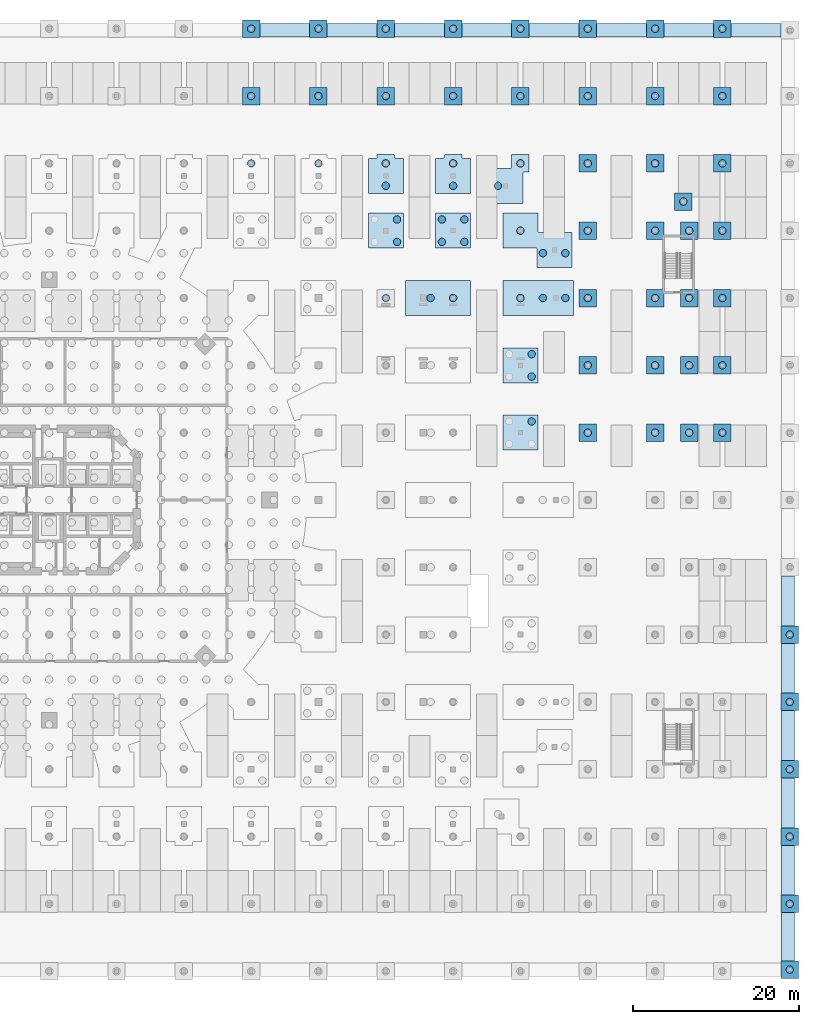
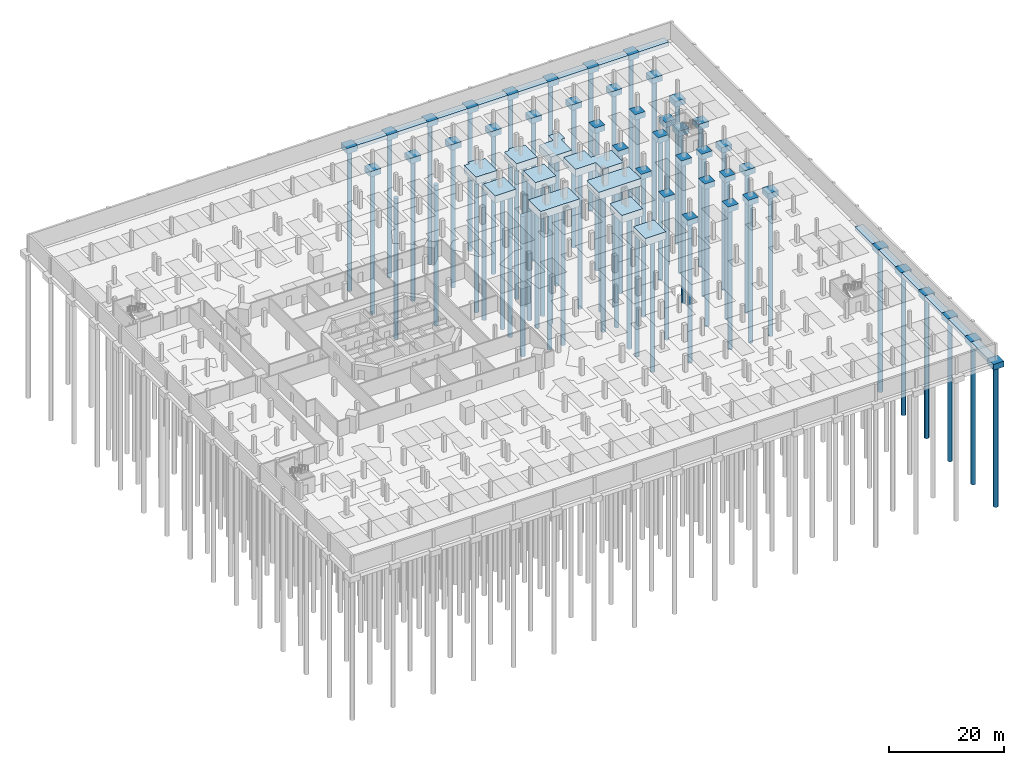
# One storey, part 7 of 23: 68 piles, 66 footings.
"""IFC4 building model written with IfcOpenShell, lengths in metres."""

from ifc_helpers import new_model, si_unit, direction, frame, origin, origin_2d, place, context, subcontext, project, spatial, polyline, rectangle, circle, outline, extrude, material, material_profile, profile_set, type_object, element, save


model = new_model("IFC4")

# Units and contexts
model_context = context("Model", 3, precision=1e-05, world=origin(), true_north=direction((0.0, 1.0)))
body_context = subcontext(model_context, "Body", "Model", "MODEL_VIEW")
ifc_project = project(units=[si_unit("LENGTHUNIT", "METRE"), si_unit("AREAUNIT", "SQUARE_METRE"), si_unit("VOLUMEUNIT", "CUBIC_METRE"), si_unit("PLANEANGLEUNIT", "RADIAN"), si_unit("MASSUNIT", "GRAM", prefix="KILO")], contexts=[model_context])

# Site, building, storey
site_placement = place(None, origin())
site = spatial("IfcSite", under=ifc_project, at=site_placement, CompositionType="ELEMENT")
building_placement = place(site_placement, origin())
building = spatial("IfcBuilding", under=site, at=building_placement, Name="Torre Triforio", CompositionType="ELEMENT")
storey_placement = place(building_placement, frame((0.0, 0.0, -10.800048828125)))
storey = spatial("IfcBuildingStorey", under=building, at=storey_placement, Name="B3", CompositionType="ELEMENT", Elevation=-10.800048828125)

# Piles
ifc_material_1 = material(Name="Concrete C35", Category="concrete")
ifc_material_profile = material_profile(ifc_material_1, circle(Radius=0.449951171875, at=origin_2d()), Name="RC D900")
ifc_profile_set = profile_set([ifc_material_profile], Name="Concrete C35")
pile_type = type_object("IfcPileType", Name="Bored pile D900 C35", PredefinedType="BORED", material=ifc_profile_set)
for number, where, z_axis, x_axis, name in (
    (1, (89.10009765625, -56.5, -1.099853515625), (0.0, 0.0, -1.0), (1.0, 0.0, 0.0), "PL.PC.017.1"),
    (2, (89.10009765625, -48.60009765625, -1.099853515625), (0.0, 0.0, -1.0), (1.0, 0.0, 0.0), "PL.PC.034.1"),
    (3, (89.10009765625, -40.5, -1.099853515625), (0.0, 0.0, -1.0), (1.0, 0.0, 0.0), "PL.PC.040.1"),
    (4, (89.10009765625, -32.39990234375, -1.099853515625), (0.0, 0.0, -1.0), (1.0, 0.0, 0.0), "PL.PC.064.1"),
    (5, (89.10009765625, -24.300048828125, -1.099853515625), (0.0, 0.0, -1.0), (1.0, 0.0, 0.0), "PL.PC.077.1"),
    (6, (89.10009765625, -16.199951171875, -1.099853515625), (0.0, 0.0, -1.0), (1.0, 0.0, 0.0), "PL.PC.087.1"),
    (7, (58.050048828125, 9.449951171875, -1.5), (0.0, 0.0, -1.0), (1.0, 0.0, 0.0), "PL.PC.112.4"),
    (8, (64.800048828125, 8.10009765625, -1.099853515625), (0.0, 0.0, -1.0), (1.0, 0.0, 0.0), "PL.PC.113.1"),
    (9, (72.89990234375, 8.10009765625, -1.099853515625), (0.0, 0.0, -1.0), (1.0, 0.0, 0.0), "PL.PC.114.1"),
    (10, (77.0, 8.10009765625, -1.099853515625), (0.0, 0.0, -1.0), (1.0, 0.0, 0.0), "PL.PC.115.1"),
    (11, (81.0, 8.10009765625, -1.099853515625), (0.0, 0.0, -1.0), (1.0, 0.0, 0.0), "PL.PC.116.1"),
    (12, (58.050048828125, 14.85009765625, -1.5), (0.0, 0.0, -1.0), (1.0, 0.0, 0.0), "PL.PC.122.2"),
    (13, (58.050048828125, 17.550048828125, -1.5), (0.0, 0.0, -1.0), (1.0, 0.0, 0.0), "PL.PC.122.4"),
    (14, (64.800048828125, 16.199951171875, -1.099853515625), (0.0, 0.0, -1.0), (1.0, 0.0, 0.0), "PL.PC.123.1"),
    (15, (72.89990234375, 16.199951171875, -1.099853515625), (0.0, 0.0, -1.0), (1.0, 0.0, 0.0), "PL.PC.124.1"),
    (16, (77.0, 16.199951171875, -1.099853515625), (0.0, 0.0, -1.0), (1.0, 0.0, 0.0), "PL.PC.125.1"),
    (17, (81.0, 16.199951171875, -1.099853515625), (0.0, 0.0, -1.0), (1.0, 0.0, 0.0), "PL.PC.126.1"),
    (18, (40.5, 24.300048828125, -1.099853515625), (0.0, 0.0, -1.0), (1.0, 0.0, 0.0), "PL.PC.132.1"),
    (19, (45.89990234375, 24.300048828125, -1.5), (0.0, 0.0, -1.0), (1.0, 0.0, 0.0), "PL.PC.133.1"),
    (20, (48.60009765625, 24.300048828125, -1.5), (0.0, 0.0, -1.0), (1.0, 0.0, 0.0), "PL.PC.133.2"),
    (21, (56.699951171875, 24.300048828125, -1.5), (0.0, 0.0, -1.0), (1.0, 0.0, 0.0), "PL.PC.134.1"),
    (22, (59.39990234375, 24.300048828125, -1.5), (0.0, 0.0, -1.0), (1.0, 0.0, 0.0), "PL.PC.134.2"),
    (23, (62.10009765625, 24.300048828125, -1.5), (0.0, 0.0, -1.0), (1.0, 0.0, 0.0), "PL.PC.134.3"),
    (24, (64.800048828125, 24.300048828125, -1.099853515625), (0.0, 0.0, -1.0), (1.0, 0.0, 0.0), "PL.PC.135.1"),
    (25, (72.89990234375, 24.300048828125, -1.099853515625), (0.0, 0.0, -1.0), (1.0, 0.0, 0.0), "PL.PC.136.1"),
    (26, (77.0, 24.300048828125, -1.099853515625), (0.0, 0.0, -1.0), (1.0, 0.0, 0.0), "PL.PC.137.1"),
    (27, (81.0, 24.300048828125, -1.099853515625), (0.0, 0.0, -1.0), (1.0, 0.0, 0.0), "PL.PC.138.1"),
    (28, (56.699951171875, 32.39990234375, -1.5), (0.0, 0.0, -1.0), (1.0, 0.0, 0.0), "PL.PC.140.1"),
    (29, (59.39990234375, 29.699951171875, -1.5), (0.0, 0.0, -1.0), (1.0, 0.0, 0.0), "PL.PC.140.2"),
    (30, (62.10009765625, 29.699951171875, -1.5), (0.0, 0.0, -1.0), (1.0, 0.0, 0.0), "PL.PC.140.3"),
    (31, (41.85009765625, 31.050048828125, -1.5), (0.0, 0.0, -1.0), (1.0, 0.0, 0.0), "PL.PC.147.2"),
    (32, (41.85009765625, 33.75, -1.5), (0.0, 0.0, -1.0), (1.0, 0.0, 0.0), "PL.PC.147.4"),
    (33, (47.25, 31.050048828125, -1.5), (0.0, 0.0, -1.0), (1.0, 0.0, 0.0), "PL.PC.148.1"),
    (34, (49.949951171875, 31.050048828125, -1.5), (0.0, 0.0, -1.0), (1.0, 0.0, 0.0), "PL.PC.148.2"),
    (35, (47.25, 33.75, -1.5), (0.0, 0.0, -1.0), (1.0, 0.0, 0.0), "PL.PC.148.3"),
    (36, (49.949951171875, 33.75, -1.5), (0.0, 0.0, -1.0), (1.0, 0.0, 0.0), "PL.PC.148.4"),
    (37, (64.800048828125, 32.39990234375, -1.099853515625), (0.0, 0.0, -1.0), (1.0, 0.0, 0.0), "PL.PC.149.1"),
    (38, (72.89990234375, 32.39990234375, -1.099853515625), (0.0, 0.0, -1.0), (1.0, 0.0, 0.0), "PL.PC.150.1"),
    (39, (77.0, 32.39990234375, -1.099853515625), (0.0, 0.0, -1.0), (1.0, 0.0, 0.0), "PL.PC.151.1"),
    (40, (81.0, 32.39990234375, -1.099853515625), (0.0, 0.0, -1.0), (1.0, 0.0, 0.0), "PL.PC.152.1"),
    (41, (76.300048828125, 35.89990234375, -1.099853515625), (0.0, 0.0, -1.0), (1.0, 0.0, 0.0), "PL.PC.155.1"),
    (42, (54.0, 37.800048828125, -1.5), (0.0, 0.0, -1.0), (1.0, 0.0, 0.0), "PL.PC.156.1"),
    (43, (56.699951171875, 40.5, -1.5), (0.0, 0.0, -1.0), (1.0, 0.0, 0.0), "PL.PC.156.2"),
    (44, (24.300048828125, 40.5, -1.5), (0.0, 0.0, -1.0), (1.0, 0.0, 0.0), "PL.PC.163.2"),
    (45, (32.39990234375, 40.5, -1.5), (0.0, 0.0, -1.0), (1.0, 0.0, 0.0), "PL.PC.164.2"),
    (46, (40.5, 37.800048828125, -1.5), (0.0, 0.0, -1.0), (1.0, 0.0, 0.0), "PL.PC.165.1"),
    (47, (40.5, 40.5, -1.5), (0.0, 0.0, -1.0), (1.0, 0.0, 0.0), "PL.PC.165.2"),
    (48, (48.60009765625, 37.800048828125, -1.5), (0.0, 0.0, -1.0), (1.0, 0.0, 0.0), "PL.PC.166.1"),
    (49, (48.60009765625, 40.5, -1.5), (0.0, 0.0, -1.0), (1.0, 0.0, 0.0), "PL.PC.166.2"),
    (50, (64.800048828125, 40.5, -1.099853515625), (0.0, 0.0, -1.0), (1.0, 0.0, 0.0), "PL.PC.169.1"),
    (51, (72.89990234375, 40.5, -1.099853515625), (0.0, 0.0, -1.0), (1.0, 0.0, 0.0), "PL.PC.170.1"),
    (52, (81.0, 40.5, -1.099853515625), (0.0, 0.0, -1.0), (1.0, 0.0, 0.0), "PL.PC.171.1"),
    (53, (24.300048828125, 48.60009765625, -1.099853515625), (0.0, 0.0, -1.0), (1.0, 0.0, 0.0), "PL.PC.181.1"),
    (54, (32.39990234375, 48.60009765625, -1.099853515625), (0.0, 0.0, -1.0), (1.0, 0.0, 0.0), "PL.PC.182.1"),
    (55, (40.5, 48.60009765625, -1.099853515625), (0.0, 0.0, -1.0), (1.0, 0.0, 0.0), "PL.PC.183.1"),
    (56, (48.60009765625, 48.60009765625, -1.099853515625), (0.0, 0.0, -1.0), (1.0, 0.0, 0.0), "PL.PC.184.1"),
    (57, (56.699951171875, 48.60009765625, -1.099853515625), (0.0, 0.0, -1.0), (1.0, 0.0, 0.0), "PL.PC.185.1"),
    (58, (64.800048828125, 48.60009765625, -1.099853515625), (0.0, 0.0, -1.0), (1.0, 0.0, 0.0), "PL.PC.186.1"),
    (59, (72.89990234375, 48.60009765625, -1.099853515625), (0.0, 0.0, -1.0), (1.0, 0.0, 0.0), "PL.PC.187.1"),
    (60, (81.0, 48.60009765625, -1.099853515625), (0.0, 0.0, -1.0), (1.0, 0.0, 0.0), "PL.PC.188.1"),
    (61, (24.300048828125, 56.699951171875, -1.099853515625), (0.0, 0.0, -1.0), (1.0, 0.0, 0.0), "PL.PC.199.1"),
    (62, (32.39990234375, 56.699951171875, -1.099853515625), (0.0, 0.0, -1.0), (1.0, 0.0, 0.0), "PL.PC.200.1"),
    (63, (40.5, 56.699951171875, -1.099853515625), (0.0, 0.0, -1.0), (1.0, 0.0, 0.0), "PL.PC.201.1"),
    (64, (48.60009765625, 56.699951171875, -1.099853515625), (0.0, 0.0, -1.0), (1.0, 0.0, 0.0), "PL.PC.202.1"),
    (65, (56.699951171875, 56.699951171875, -1.099853515625), (0.0, 0.0, -1.0), (1.0, 0.0, 0.0), "PL.PC.203.1"),
    (66, (64.800048828125, 56.699951171875, -1.099853515625), (0.0, 0.0, -1.0), (1.0, 0.0, 0.0), "PL.PC.204.1"),
    (67, (72.89990234375, 56.699951171875, -1.099853515625), (0.0, 0.0, -1.0), (1.0, 0.0, 0.0), "PL.PC.205.1"),
    (68, (81.0, 56.699951171875, -1.099853515625), (0.0, 0.0, -1.0), (1.0, 0.0, 0.0), "PL.PC.206.1"),
):
    element("IfcPile", number, at=place(storey_placement, frame(where, z_axis=z_axis, x_axis=x_axis)), inside=storey, type_object=pile_type, Name=name, PredefinedType="BORED", context=body_context, shape_type="SweptSolid", body=[
        extrude(circle(Radius=0.449951171875, at=origin_2d()), origin(), (0.0, 0.0, 1.0), 30.0),
    ])

# Footings
ifc_material_2 = material(Name="Concrete C50", Category="concrete")
footing_type_1 = type_object("IfcFootingType", Name="Pile cap combined 1600 C50", PredefinedType="PILE_CAP", material=ifc_material_2)
footing_1_placement = place(storey_placement, frame((0.0, 0.0, -1.599853515625)))
element("IfcFooting", 69, at=footing_1_placement, inside=storey, type_object=footing_type_1, Name="FT.PC.133", PredefinedType="PILE_CAP", context=body_context, shape_type="SweptSolid", body=[
    extrude(outline(polyline([(42.900146484375, 22.2001953125), (42.903564453125, 22.199951171875), (50.6962890625, 22.199951171875), (50.69970703125, 22.2001953125), (50.699951171875, 22.20361328125), (50.699951171875, 26.396240234375), (50.69970703125, 26.39990234375), (50.6962890625, 26.39990234375), (42.903564453125, 26.39990234375), (42.900146484375, 26.39990234375), (42.89990234375, 26.396240234375), (42.89990234375, 22.20361328125), (42.900146484375, 22.2001953125)])), origin(), (0.0, 0.0, 1.0), 1.599853515625),
])
footing_2_placement = place(storey_placement, frame((0.0, 0.0, -1.599853515625)))
element("IfcFooting", 70, at=footing_2_placement, inside=storey, type_object=footing_type_1, Name="FT.PC.134", PredefinedType="PILE_CAP", context=body_context, shape_type="SweptSolid", body=[
    extrude(outline(polyline([(54.60009765625, 22.2001953125), (54.603759765625, 22.199951171875), (58.79638671875, 22.199951171875), (58.800048828125, 22.2001953125), (58.800537109375, 22.2001953125), (58.8134765625, 22.204345703125), (58.827880859375, 22.20703125), (58.842529296875, 22.20849609375), (58.857421875, 22.20849609375), (58.8720703125, 22.20703125), (58.886474609375, 22.204345703125), (58.899658203125, 22.2001953125), (58.900146484375, 22.2001953125), (58.903564453125, 22.199951171875), (63.096435546875, 22.199951171875), (63.099853515625, 22.2001953125), (63.10009765625, 22.20361328125), (63.10009765625, 26.396240234375), (63.099853515625, 26.39990234375), (63.096435546875, 26.39990234375), (58.903564453125, 26.39990234375), (58.900146484375, 26.39990234375), (58.899658203125, 26.399658203125), (58.886474609375, 26.395751953125), (58.8720703125, 26.392822265625), (58.857421875, 26.391357421875), (58.842529296875, 26.391357421875), (58.827880859375, 26.392822265625), (58.8134765625, 26.395751953125), (58.800537109375, 26.399658203125), (58.800048828125, 26.39990234375), (58.79638671875, 26.39990234375), (54.603759765625, 26.39990234375), (54.60009765625, 26.39990234375), (54.60009765625, 26.396240234375), (54.60009765625, 22.20361328125), (54.60009765625, 22.2001953125)])), origin(), (0.0, 0.0, 1.0), 1.599853515625),
])
footing_3_placement = place(storey_placement, frame((0.0, 0.0, -1.599853515625)))
element("IfcFooting", 71, at=footing_3_placement, inside=storey, type_object=footing_type_1, Name="FT.PC.140", PredefinedType="PILE_CAP", context=body_context, shape_type="SweptSolid", body=[
    extrude(outline(polyline([(54.60009765625, 30.30029296875), (54.603759765625, 30.300048828125), (58.550048828125, 30.300048828125), (58.564697265625, 30.29931640625), (58.579345703125, 30.297119140625), (58.593505859375, 30.29345703125), (58.607421875, 30.28857421875), (58.62060546875, 30.2822265625), (58.63330078125, 30.274658203125), (58.645263671875, 30.265869140625), (58.656005859375, 30.256103515625), (58.666015625, 30.2451171875), (58.6748046875, 30.2333984375), (58.682373046875, 30.220703125), (58.6884765625, 30.20751953125), (58.693603515625, 30.193603515625), (58.697021484375, 30.17919921875), (58.69921875, 30.164794921875), (58.699951171875, 30.14990234375), (58.699951171875, 28.003662109375), (58.7001953125, 28.000244140625), (58.70361328125, 28.0), (62.896240234375, 28.0), (62.89990234375, 28.000244140625), (62.89990234375, 28.003662109375), (62.89990234375, 32.1962890625), (62.89990234375, 32.19970703125), (62.896240234375, 32.199951171875), (58.949951171875, 32.199951171875), (58.935302734375, 32.20068359375), (58.920654296875, 32.202880859375), (58.906494140625, 32.20654296875), (58.892578125, 32.21142578125), (58.87939453125, 32.2177734375), (58.86669921875, 32.225341796875), (58.854736328125, 32.234130859375), (58.843994140625, 32.243896484375), (58.833984375, 32.2548828125), (58.8251953125, 32.2666015625), (58.817626953125, 32.279296875), (58.8115234375, 32.29248046875), (58.806396484375, 32.306396484375), (58.802978515625, 32.32080078125), (58.80078125, 32.335205078125), (58.800048828125, 32.35009765625), (58.800048828125, 34.496337890625), (58.7998046875, 34.499755859375), (58.79638671875, 34.5), (54.603759765625, 34.5), (54.60009765625, 34.499755859375), (54.60009765625, 34.496337890625), (54.60009765625, 30.3037109375), (54.60009765625, 30.30029296875)])), origin(), (0.0, 0.0, 1.0), 1.599853515625),
])
footing_4_placement = place(storey_placement, frame((0.0, 0.0, -1.599853515625)))
element("IfcFooting", 72, at=footing_4_placement, inside=storey, type_object=footing_type_1, Name="FT.PC.156", PredefinedType="PILE_CAP", context=body_context, shape_type="SweptSolid", body=[
    extrude(outline(polyline([(52.80029296875, 35.7001953125), (52.8037109375, 35.699951171875), (56.996337890625, 35.699951171875), (56.999755859375, 35.7001953125), (57.0, 35.70361328125), (57.0, 39.300048828125), (57.000732421875, 39.314697265625), (57.0029296875, 39.329345703125), (57.00634765625, 39.343505859375), (57.011474609375, 39.357421875), (57.017822265625, 39.37060546875), (57.025390625, 39.38330078125), (57.033935546875, 39.395263671875), (57.0439453125, 39.406005859375), (57.054931640625, 39.416015625), (57.066650390625, 39.4248046875), (57.079345703125, 39.432373046875), (57.092529296875, 39.4384765625), (57.1064453125, 39.443603515625), (57.120849609375, 39.447021484375), (57.13525390625, 39.44921875), (57.14990234375, 39.449951171875), (57.746337890625, 39.449951171875), (57.749755859375, 39.4501953125), (57.75, 39.45361328125), (57.75, 41.54638671875), (57.749755859375, 41.5498046875), (57.746337890625, 41.550048828125), (55.653564453125, 41.550048828125), (55.650146484375, 41.5498046875), (55.64990234375, 41.54638671875), (55.64990234375, 40.050048828125), (55.649169921875, 40.035400390625), (55.647216796875, 40.020751953125), (55.6435546875, 40.00634765625), (55.638671875, 39.99267578125), (55.63232421875, 39.979248046875), (55.624755859375, 39.966552734375), (55.615966796875, 39.954833984375), (55.60595703125, 39.94384765625), (55.59521484375, 39.93408203125), (55.583251953125, 39.92529296875), (55.57080078125, 39.917724609375), (55.557373046875, 39.911376953125), (55.54345703125, 39.906494140625), (55.529296875, 39.90283203125), (55.5146484375, 39.900634765625), (55.5, 39.89990234375), (52.8037109375, 39.89990234375), (52.80029296875, 39.89990234375), (52.800048828125, 39.896240234375), (52.800048828125, 35.70361328125), (52.80029296875, 35.7001953125)])), origin(), (0.0, 0.0, 1.0), 1.599853515625),
])
footing_5_placement = place(storey_placement, frame((0.0, 0.0, -1.599853515625)))
element("IfcFooting", 73, at=footing_5_placement, inside=storey, type_object=footing_type_1, Name="FT.PC.165", PredefinedType="PILE_CAP", context=body_context, shape_type="SweptSolid", body=[
    extrude(outline(polyline([(38.400146484375, 36.900146484375), (38.403564453125, 36.89990234375), (42.596435546875, 36.89990234375), (42.599853515625, 36.900146484375), (42.60009765625, 36.903564453125), (42.60009765625, 41.096435546875), (42.599853515625, 41.099853515625), (42.596435546875, 41.10009765625), (41.699951171875, 41.10009765625), (41.685302734375, 41.100830078125), (41.670654296875, 41.102783203125), (41.656494140625, 41.1064453125), (41.642578125, 41.111328125), (41.62939453125, 41.11767578125), (41.61669921875, 41.125244140625), (41.604736328125, 41.134033203125), (41.593994140625, 41.14404296875), (41.583984375, 41.15478515625), (41.5751953125, 41.166748046875), (41.567626953125, 41.17919921875), (41.5615234375, 41.192626953125), (41.556396484375, 41.20654296875), (41.552978515625, 41.220703125), (41.55078125, 41.2353515625), (41.550048828125, 41.25), (41.550048828125, 41.54638671875), (41.5498046875, 41.5498046875), (41.54638671875, 41.550048828125), (39.45361328125, 41.550048828125), (39.4501953125, 41.5498046875), (39.449951171875, 41.54638671875), (39.449951171875, 41.25), (39.44921875, 41.2353515625), (39.447021484375, 41.220703125), (39.443603515625, 41.20654296875), (39.4384765625, 41.192626953125), (39.432373046875, 41.17919921875), (39.4248046875, 41.166748046875), (39.416015625, 41.15478515625), (39.406005859375, 41.14404296875), (39.395263671875, 41.134033203125), (39.38330078125, 41.125244140625), (39.37060546875, 41.11767578125), (39.357421875, 41.111328125), (39.343505859375, 41.1064453125), (39.329345703125, 41.102783203125), (39.314697265625, 41.100830078125), (39.300048828125, 41.10009765625), (38.403564453125, 41.10009765625), (38.400146484375, 41.099853515625), (38.39990234375, 41.096435546875), (38.39990234375, 36.903564453125), (38.400146484375, 36.900146484375)])), origin(), (0.0, 0.0, 1.0), 1.599853515625),
])
footing_6_placement = place(storey_placement, frame((0.0, 0.0, -1.599853515625)))
element("IfcFooting", 74, at=footing_6_placement, inside=storey, type_object=footing_type_1, Name="FT.PC.166", PredefinedType="PILE_CAP", context=body_context, shape_type="SweptSolid", body=[
    extrude(outline(polyline([(46.500244140625, 36.900146484375), (46.503662109375, 36.89990234375), (50.6962890625, 36.89990234375), (50.69970703125, 36.900146484375), (50.699951171875, 36.903564453125), (50.699951171875, 41.096435546875), (50.69970703125, 41.099853515625), (50.6962890625, 41.10009765625), (49.800048828125, 41.10009765625), (49.785400390625, 41.100830078125), (49.770751953125, 41.102783203125), (49.75634765625, 41.1064453125), (49.74267578125, 41.111328125), (49.729248046875, 41.11767578125), (49.716552734375, 41.125244140625), (49.704833984375, 41.134033203125), (49.69384765625, 41.14404296875), (49.68408203125, 41.15478515625), (49.67529296875, 41.166748046875), (49.667724609375, 41.17919921875), (49.661376953125, 41.192626953125), (49.656494140625, 41.20654296875), (49.65283203125, 41.220703125), (49.650634765625, 41.2353515625), (49.64990234375, 41.25), (49.64990234375, 41.54638671875), (49.64990234375, 41.5498046875), (49.646240234375, 41.550048828125), (47.5537109375, 41.550048828125), (47.55029296875, 41.5498046875), (47.550048828125, 41.54638671875), (47.550048828125, 41.25), (47.54931640625, 41.2353515625), (47.547119140625, 41.220703125), (47.54345703125, 41.20654296875), (47.53857421875, 41.192626953125), (47.5322265625, 41.17919921875), (47.524658203125, 41.166748046875), (47.515869140625, 41.15478515625), (47.506103515625, 41.14404296875), (47.4951171875, 41.134033203125), (47.4833984375, 41.125244140625), (47.470703125, 41.11767578125), (47.45751953125, 41.111328125), (47.443603515625, 41.1064453125), (47.42919921875, 41.102783203125), (47.414794921875, 41.100830078125), (47.39990234375, 41.10009765625), (46.503662109375, 41.10009765625), (46.500244140625, 41.099853515625), (46.5, 41.096435546875), (46.5, 36.903564453125), (46.500244140625, 36.900146484375)])), origin(), (0.0, 0.0, 1.0), 1.599853515625),
])
footing_type_2 = type_object("IfcFootingType", Name="Pile cap four pile 4200 1600 C50", PredefinedType="PILE_CAP", material=ifc_material_2)
for number, where, z_axis, x_axis, name in (
    (75, (56.699951171875, 8.10009765625, -1.60009765625), (0.0, 0.0, 1.0), (1.0, 0.0, 0.0), "FT.PC.112"),
    (76, (56.699951171875, 16.199951171875, -1.60009765625), (0.0, 0.0, 1.0), (1.0, 0.0, 0.0), "FT.PC.122"),
    (77, (40.5, 32.39990234375, -1.60009765625), (0.0, 0.0, 1.0), (1.0, 0.0, 0.0), "FT.PC.147"),
    (78, (48.60009765625, 32.39990234375, -1.60009765625), (0.0, 0.0, 1.0), (1.0, 0.0, 0.0), "FT.PC.148"),
):
    element("IfcFooting", number, at=place(storey_placement, frame(where, z_axis=z_axis, x_axis=x_axis)), inside=storey, type_object=footing_type_2, Name=name, PredefinedType="PILE_CAP", context=body_context, shape_type="SweptSolid", body=[
        extrude(rectangle(XDim=4.199951171875, YDim=4.199951171875, at=origin_2d()), origin(), (0.0, 0.0, 1.0), 1.60009765625),
    ])
footing_type_3 = type_object("IfcFootingType", Name="Pile cap single pile 2100 1200 C50", PredefinedType="PILE_CAP", material=ifc_material_2)
for number, where, z_axis, x_axis, name in (
    (79, (89.10009765625, -56.5, -1.19970703125), (0.0, 0.0, 1.0), (1.0, 0.0, 0.0), "FT.PC.017"),
    (80, (89.10009765625, -48.60009765625, -1.19970703125), (0.0, 0.0, 1.0), (1.0, 0.0, 0.0), "FT.PC.034"),
    (81, (89.10009765625, -40.5, -1.19970703125), (0.0, 0.0, 1.0), (1.0, 0.0, 0.0), "FT.PC.040"),
    (82, (89.10009765625, -32.39990234375, -1.19970703125), (0.0, 0.0, 1.0), (1.0, 0.0, 0.0), "FT.PC.064"),
    (83, (89.10009765625, -24.300048828125, -1.19970703125), (0.0, 0.0, 1.0), (1.0, 0.0, 0.0), "FT.PC.077"),
    (84, (89.10009765625, -16.199951171875, -1.19970703125), (0.0, 0.0, 1.0), (1.0, 0.0, 0.0), "FT.PC.087"),
    (85, (64.800048828125, 8.10009765625, -1.19970703125), (0.0, 0.0, 1.0), (1.0, 0.0, 0.0), "FT.PC.113"),
    (86, (72.89990234375, 8.10009765625, -1.19970703125), (0.0, 0.0, 1.0), (1.0, 0.0, 0.0), "FT.PC.114"),
    (87, (77.0, 8.10009765625, -1.19970703125), (0.0, 0.0, 1.0), (1.0, 0.0, 0.0), "FT.PC.115"),
    (88, (81.0, 8.10009765625, -1.19970703125), (0.0, 0.0, 1.0), (1.0, 0.0, 0.0), "FT.PC.116"),
    (89, (64.800048828125, 16.199951171875, -1.19970703125), (0.0, 0.0, 1.0), (1.0, 0.0, 0.0), "FT.PC.123"),
    (90, (72.89990234375, 16.199951171875, -1.19970703125), (0.0, 0.0, 1.0), (1.0, 0.0, 0.0), "FT.PC.124"),
    (91, (77.0, 16.199951171875, -1.19970703125), (0.0, 0.0, 1.0), (1.0, 0.0, 0.0), "FT.PC.125"),
    (92, (81.0, 16.199951171875, -1.19970703125), (0.0, 0.0, 1.0), (1.0, 0.0, 0.0), "FT.PC.126"),
    (93, (64.800048828125, 24.300048828125, -1.19970703125), (0.0, 0.0, 1.0), (1.0, 0.0, 0.0), "FT.PC.135"),
    (94, (72.89990234375, 24.300048828125, -1.19970703125), (0.0, 0.0, 1.0), (1.0, 0.0, 0.0), "FT.PC.136"),
    (95, (77.0, 24.300048828125, -1.19970703125), (0.0, 0.0, 1.0), (1.0, 0.0, 0.0), "FT.PC.137"),
    (96, (81.0, 24.300048828125, -1.19970703125), (0.0, 0.0, 1.0), (1.0, 0.0, 0.0), "FT.PC.138"),
    (97, (64.800048828125, 32.39990234375, -1.19970703125), (0.0, 0.0, 1.0), (1.0, 0.0, 0.0), "FT.PC.149"),
    (98, (72.89990234375, 32.39990234375, -1.19970703125), (0.0, 0.0, 1.0), (1.0, 0.0, 0.0), "FT.PC.150"),
    (99, (77.0, 32.39990234375, -1.19970703125), (0.0, 0.0, 1.0), (1.0, 0.0, 0.0), "FT.PC.151"),
    (100, (81.0, 32.39990234375, -1.19970703125), (0.0, 0.0, 1.0), (1.0, 0.0, 0.0), "FT.PC.152"),
    (101, (76.300048828125, 35.89990234375, -1.19970703125), (0.0, 0.0, 1.0), (1.0, 0.0, 0.0), "FT.PC.155"),
    (102, (64.800048828125, 40.5, -1.19970703125), (0.0, 0.0, 1.0), (1.0, 0.0, 0.0), "FT.PC.169"),
    (103, (72.89990234375, 40.5, -1.19970703125), (0.0, 0.0, 1.0), (1.0, 0.0, 0.0), "FT.PC.170"),
    (104, (81.0, 40.5, -1.19970703125), (0.0, 0.0, 1.0), (1.0, 0.0, 0.0), "FT.PC.171"),
    (105, (24.300048828125, 48.60009765625, -1.19970703125), (0.0, 0.0, 1.0), (1.0, 0.0, 0.0), "FT.PC.181"),
    (106, (32.39990234375, 48.60009765625, -1.19970703125), (0.0, 0.0, 1.0), (1.0, 0.0, 0.0), "FT.PC.182"),
    (107, (40.5, 48.60009765625, -1.19970703125), (0.0, 0.0, 1.0), (1.0, 0.0, 0.0), "FT.PC.183"),
    (108, (48.60009765625, 48.60009765625, -1.19970703125), (0.0, 0.0, 1.0), (1.0, 0.0, 0.0), "FT.PC.184"),
    (109, (56.699951171875, 48.60009765625, -1.19970703125), (0.0, 0.0, 1.0), (1.0, 0.0, 0.0), "FT.PC.185"),
    (110, (64.800048828125, 48.60009765625, -1.19970703125), (0.0, 0.0, 1.0), (1.0, 0.0, 0.0), "FT.PC.186"),
    (111, (72.89990234375, 48.60009765625, -1.19970703125), (0.0, 0.0, 1.0), (1.0, 0.0, 0.0), "FT.PC.187"),
    (112, (81.0, 48.60009765625, -1.19970703125), (0.0, 0.0, 1.0), (1.0, 0.0, 0.0), "FT.PC.188"),
    (113, (24.300048828125, 56.699951171875, -1.19970703125), (0.0, 0.0, 1.0), (1.0, 0.0, 0.0), "FT.PC.199"),
    (114, (32.39990234375, 56.699951171875, -1.19970703125), (0.0, 0.0, 1.0), (1.0, 0.0, 0.0), "FT.PC.200"),
    (115, (40.5, 56.699951171875, -1.19970703125), (0.0, 0.0, 1.0), (1.0, 0.0, 0.0), "FT.PC.201"),
    (116, (48.60009765625, 56.699951171875, -1.19970703125), (0.0, 0.0, 1.0), (1.0, 0.0, 0.0), "FT.PC.202"),
    (117, (56.699951171875, 56.699951171875, -1.19970703125), (0.0, 0.0, 1.0), (1.0, 0.0, 0.0), "FT.PC.203"),
    (118, (64.800048828125, 56.699951171875, -1.19970703125), (0.0, 0.0, 1.0), (1.0, 0.0, 0.0), "FT.PC.204"),
    (119, (72.89990234375, 56.699951171875, -1.19970703125), (0.0, 0.0, 1.0), (1.0, 0.0, 0.0), "FT.PC.205"),
    (120, (81.0, 56.699951171875, -1.19970703125), (0.0, 0.0, 1.0), (1.0, 0.0, 0.0), "FT.PC.206"),
):
    element("IfcFooting", number, at=place(storey_placement, frame(where, z_axis=z_axis, x_axis=x_axis)), inside=storey, type_object=footing_type_3, Name=name, PredefinedType="PILE_CAP", context=body_context, shape_type="SweptSolid", body=[
        extrude(rectangle(XDim=2.10009765625, YDim=2.10009765625, at=origin_2d()), origin(), (0.0, 0.0, 1.0), 1.199951171875),
    ])
ifc_material_3 = material(Name="Concrete C40", Category="concrete")
footing_type_4 = type_object("IfcFootingType", Name="Strip footing 1600 800 C40", PredefinedType="STRIP_FOOTING", material=ifc_material_3)
footing_7_placement = place(storey_placement, frame((0.0, 0.0, -0.800048828125)))
element("IfcFooting", 121, at=footing_7_placement, inside=storey, type_object=footing_type_4, Name="FT.STRIP.02", PredefinedType="STRIP_FOOTING", context=body_context, shape_type="SweptSolid", body=[
    extrude(outline(polyline([(71.85009765625, 57.300048828125), (65.85009765625, 57.300048828125), (65.85009765625, 55.699951171875), (71.85009765625, 55.699951171875), (71.85009765625, 57.300048828125)])), origin(), (0.0, 0.0, 1.0), 0.800048828125),
])
footing_8_placement = place(storey_placement, frame((0.0, 0.0, -0.800048828125)))
element("IfcFooting", 122, at=footing_8_placement, inside=storey, type_object=footing_type_4, Name="FT.STRIP.10", PredefinedType="STRIP_FOOTING", context=body_context, shape_type="SweptSolid", body=[
    extrude(outline(polyline([(39.449951171875, 57.300048828125), (33.449951171875, 57.300048828125), (33.449951171875, 55.699951171875), (39.449951171875, 55.699951171875), (39.449951171875, 57.300048828125)])), origin(), (0.0, 0.0, 1.0), 0.800048828125),
])
footing_9_placement = place(storey_placement, frame((0.0, 0.0, -0.800048828125)))
element("IfcFooting", 123, at=footing_9_placement, inside=storey, type_object=footing_type_4, Name="FT.STRIP.12", PredefinedType="STRIP_FOOTING", context=body_context, shape_type="SweptSolid", body=[
    extrude(outline(polyline([(47.550048828125, 57.300048828125), (41.550048828125, 57.300048828125), (41.550048828125, 55.699951171875), (47.550048828125, 55.699951171875), (47.550048828125, 57.300048828125)])), origin(), (0.0, 0.0, 1.0), 0.800048828125),
])
footing_10_placement = place(storey_placement, frame((0.0, 0.0, -0.800048828125)))
element("IfcFooting", 124, at=footing_10_placement, inside=storey, type_object=footing_type_4, Name="FT.STRIP.14", PredefinedType="STRIP_FOOTING", context=body_context, shape_type="SweptSolid", body=[
    extrude(outline(polyline([(55.64990234375, 57.300048828125), (49.64990234375, 57.300048828125), (49.64990234375, 55.699951171875), (55.64990234375, 55.699951171875), (55.64990234375, 57.300048828125)])), origin(), (0.0, 0.0, 1.0), 0.800048828125),
])
footing_11_placement = place(storey_placement, frame((0.0, 0.0, -0.800048828125)))
element("IfcFooting", 125, at=footing_11_placement, inside=storey, type_object=footing_type_4, Name="FT.STRIP.15", PredefinedType="STRIP_FOOTING", context=body_context, shape_type="SweptSolid", body=[
    extrude(outline(polyline([(89.699951171875, -47.550048828125), (89.699951171875, -41.550048828125), (88.10009765625, -41.550048828125), (88.10009765625, -47.550048828125), (89.699951171875, -47.550048828125)])), origin(), (0.0, 0.0, 1.0), 0.800048828125),
])
footing_12_placement = place(storey_placement, frame((0.0, 0.0, -0.800048828125)))
element("IfcFooting", 126, at=footing_12_placement, inside=storey, type_object=footing_type_4, Name="FT.STRIP.16", PredefinedType="STRIP_FOOTING", context=body_context, shape_type="SweptSolid", body=[
    extrude(outline(polyline([(89.699951171875, -39.449951171875), (89.699951171875, -33.449951171875), (88.10009765625, -33.449951171875), (88.10009765625, -39.449951171875), (89.699951171875, -39.449951171875)])), origin(), (0.0, 0.0, 1.0), 0.800048828125),
])
footing_13_placement = place(storey_placement, frame((0.0, 0.0, -0.800048828125)))
element("IfcFooting", 127, at=footing_13_placement, inside=storey, type_object=footing_type_4, Name="FT.STRIP.32", PredefinedType="STRIP_FOOTING", context=body_context, shape_type="SweptSolid", body=[
    extrude(outline(polyline([(63.75, 57.300048828125), (57.75, 57.300048828125), (57.75, 55.699951171875), (63.75, 55.699951171875), (63.75, 57.300048828125)])), origin(), (0.0, 0.0, 1.0), 0.800048828125),
])
footing_14_placement = place(storey_placement, frame((0.0, 0.0, -0.800048828125)))
element("IfcFooting", 128, at=footing_14_placement, inside=storey, type_object=footing_type_4, Name="FT.STRIP.34", PredefinedType="STRIP_FOOTING", context=body_context, shape_type="SweptSolid", body=[
    extrude(outline(polyline([(79.949951171875, 57.300048828125), (73.949951171875, 57.300048828125), (73.949951171875, 55.699951171875), (79.949951171875, 55.699951171875), (79.949951171875, 57.300048828125)])), origin(), (0.0, 0.0, 1.0), 0.800048828125),
])
footing_15_placement = place(storey_placement, frame((0.0, 0.0, -0.800048828125)))
element("IfcFooting", 129, at=footing_15_placement, inside=storey, type_object=footing_type_4, Name="FT.STRIP.36", PredefinedType="STRIP_FOOTING", context=body_context, shape_type="SweptSolid", body=[
    extrude(outline(polyline([(88.050048828125, 57.300048828125), (82.050048828125, 57.300048828125), (82.050048828125, 55.699951171875), (88.050048828125, 55.699951171875), (88.050048828125, 57.300048828125)])), origin(), (0.0, 0.0, 1.0), 0.800048828125),
])
footing_16_placement = place(storey_placement, frame((0.0, 0.0, -0.800048828125)))
element("IfcFooting", 130, at=footing_16_placement, inside=storey, type_object=footing_type_4, Name="FT.STRIP.37", PredefinedType="STRIP_FOOTING", context=body_context, shape_type="SweptSolid", body=[
    extrude(outline(polyline([(89.699951171875, -23.25), (89.699951171875, -17.25), (88.10009765625, -17.25), (88.10009765625, -23.25), (89.699951171875, -23.25)])), origin(), (0.0, 0.0, 1.0), 0.800048828125),
])
footing_17_placement = place(storey_placement, frame((0.0, 0.0, -0.800048828125)))
element("IfcFooting", 131, at=footing_17_placement, inside=storey, type_object=footing_type_4, Name="FT.STRIP.47", PredefinedType="STRIP_FOOTING", context=body_context, shape_type="SweptSolid", body=[
    extrude(outline(polyline([(89.699951171875, -15.14990234375), (89.699951171875, -9.14990234375), (88.10009765625, -9.14990234375), (88.10009765625, -15.14990234375), (89.699951171875, -15.14990234375)])), origin(), (0.0, 0.0, 1.0), 0.800048828125),
])
footing_18_placement = place(storey_placement, frame((0.0, 0.0, -0.800048828125)))
element("IfcFooting", 132, at=footing_18_placement, inside=storey, type_object=footing_type_4, Name="FT.STRIP.54", PredefinedType="STRIP_FOOTING", context=body_context, shape_type="SweptSolid", body=[
    extrude(outline(polyline([(31.35009765625, 57.300048828125), (25.35009765625, 57.300048828125), (25.35009765625, 55.699951171875), (31.35009765625, 55.699951171875), (31.35009765625, 57.300048828125)])), origin(), (0.0, 0.0, 1.0), 0.800048828125),
])
footing_19_placement = place(storey_placement, frame((0.0, 0.0, -0.800048828125)))
element("IfcFooting", 133, at=footing_19_placement, inside=storey, type_object=footing_type_4, Name="FT.STRIP.55", PredefinedType="STRIP_FOOTING", context=body_context, shape_type="SweptSolid", body=[
    extrude(outline(polyline([(89.699951171875, -31.35009765625), (89.699951171875, -25.35009765625), (88.10009765625, -25.35009765625), (88.10009765625, -31.35009765625), (89.699951171875, -31.35009765625)])), origin(), (0.0, 0.0, 1.0), 0.800048828125),
])
footing_20_placement = place(storey_placement, frame((0.0, 0.0, -0.800048828125)))
element("IfcFooting", 134, at=footing_20_placement, inside=storey, type_object=footing_type_4, Name="FT.STRIP.59", PredefinedType="STRIP_FOOTING", context=body_context, shape_type="SweptSolid", body=[
    extrude(outline(polyline([(89.699951171875, -55.449951171875), (89.699951171875, -49.64990234375), (88.10009765625, -49.64990234375), (88.10009765625, -55.449951171875), (89.699951171875, -55.449951171875)])), origin(), (0.0, 0.0, 1.0), 0.800048828125),
])

save(model, "model.ifc")
